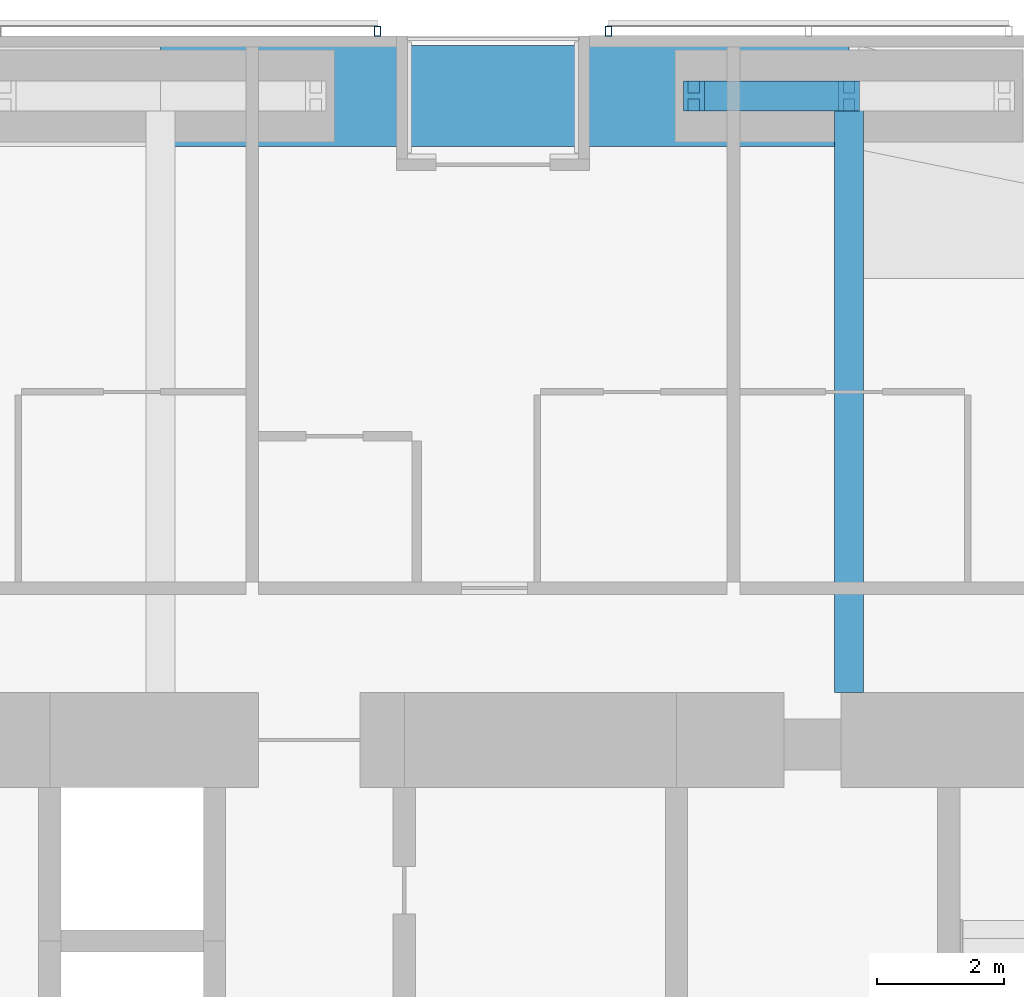
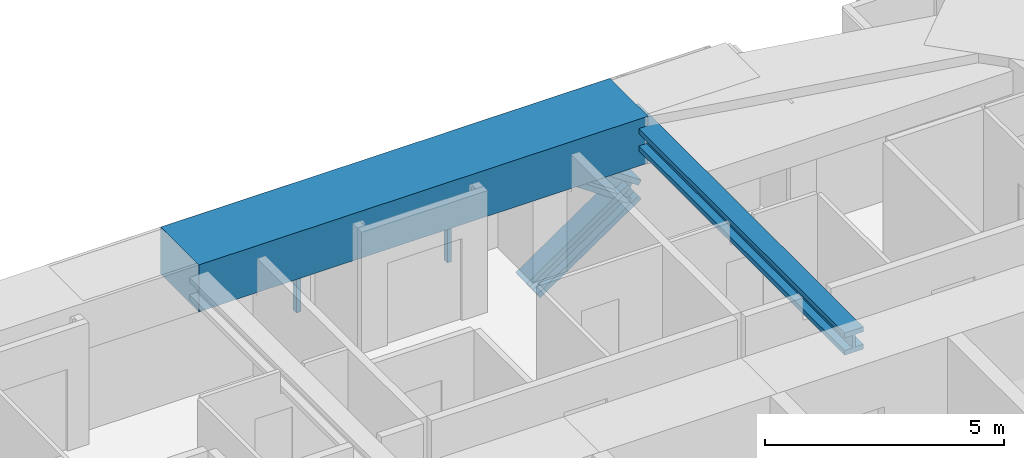
# One storey, part 14 of 25: 4 members, 2 beams, 2 elements without a shape of their own.
"""IFC4 building model written with IfcOpenShell, lengths in metres."""

from ifc_helpers import new_model, si_unit, direction, frame, origin, origin_2d, place, context, subcontext, project, spatial, rectangle, hollow_rectangle, i_section, extrude, material, material_profile, profile_set, type_object, element, aggregate, save


model = new_model("IFC4")

# Units and contexts
model_context = context("Model", 3, precision=1e-05, world=origin(), true_north=direction((0.0, 1.0)))
body_context = subcontext(model_context, "Body", "Model", "MODEL_VIEW")
ifc_project = project(units=[si_unit("LENGTHUNIT", "METRE"), si_unit("AREAUNIT", "SQUARE_METRE"), si_unit("VOLUMEUNIT", "CUBIC_METRE"), si_unit("PLANEANGLEUNIT", "RADIAN"), si_unit("MASSUNIT", "GRAM", prefix="KILO")], contexts=[model_context])

# Site, building, storey
site_placement = place(None, origin())
site = spatial("IfcSite", under=ifc_project, at=site_placement, CompositionType="ELEMENT")
building_placement = place(site_placement, origin())
building = spatial("IfcBuilding", under=site, at=building_placement, Name="Jalousie Tower", CompositionType="ELEMENT")
storey_placement = place(building_placement, frame((0.0, 0.0, 98.14990234375)))
storey = spatial("IfcBuildingStorey", under=building, at=storey_placement, Name="L26", CompositionType="ELEMENT", Elevation=98.14990234375)

# Beam
ifc_material_1 = material(Name="Steel ASTM A992 Grade 50", Category="steel")
ifc_material_profile_1 = material_profile(ifc_material_1, i_section(OverallWidth=0.45458984375, OverallDepth=0.569091796875, WebThickness=0.077880859375, FlangeThickness=0.124755859375, at=origin_2d()), Name="W14X730")
ifc_profile_set_1 = profile_set([ifc_material_profile_1], Name="Steel ASTM A992 Grade 50")
beam_type_1 = type_object("IfcBeamType", Name="LEAN COLLECTOR W14X730", PredefinedType="BEAM", material=ifc_profile_set_1)
beam_1_placement = place(storey_placement, frame((38.625, 37.050048828125, 2.82568359375), z_axis=(0.0, -1.0, 0.0), x_axis=(1.0, 0.0, 0.0)))
element("IfcBeam", 1, at=beam_1_placement, inside=storey, type_object=beam_type_1, Name="Lean collector under L27", PredefinedType="BEAM", context=body_context, shape_type="SweptSolid", body=[
    extrude(i_section(OverallWidth=0.45458984375, OverallDepth=0.569091796875, WebThickness=0.077880859375, FlangeThickness=0.124755859375, at=origin_2d()), origin(), (0.0, 0.0, 1.0), 9.425048828125),
])

# Members
ifc_material_2 = material(Name="Steel ASTM A992 Grade 50", Category="steel")
ifc_material_profile_2 = material_profile(ifc_material_2, i_section(OverallWidth=0.472412109375, OverallDepth=0.5791015625, WebThickness=0.094970703125, FlangeThickness=0.1298828125, at=origin_2d()), Name="W14X808")
ifc_profile_set_2 = profile_set([ifc_material_profile_2], Name="Steel ASTM A992 Grade 50")
member_type_1 = type_object("IfcMemberType", Name="PERIMETER BRACE W14X808", PredefinedType="BRACE", material=ifc_profile_set_2)
for number, where, z_axis, x_axis, name in (
    (2, (36.175048828125, 37.050048828125, -0.599853515625), (0.825500916831, 0.0, 0.564400776321), (0.0, 1.0, 0.0), "Perimeter brace 09 L26 part 1"),
    (3, (38.625, 37.050048828125, 1.0751953125), (-0.825539243753, 0.0, 0.564344714713), (0.0, -1.0, 0.0), "Perimeter brace 09 L26 part 4"),
):
    element("IfcMember", number, at=place(storey_placement, frame(where, z_axis=z_axis, x_axis=x_axis)), inside=storey, type_object=member_type_1, Name=name, PredefinedType="BRACE", context=body_context, shape_type="SweptSolid", body=[
        extrude(i_section(OverallWidth=0.472412109375, OverallDepth=0.5791015625, WebThickness=0.094970703125, FlangeThickness=0.1298828125, at=origin_2d()), origin(), (0.0, 0.0, 1.0), 2.9677734375),
    ])

# Beam
ifc_material_3 = material(Name="Concrete f'c 40 MPa", Category="concrete")
ifc_material_profile_3 = material_profile(ifc_material_3, rectangle(XDim=1.60009765625, YDim=1.199951171875, at=origin_2d()), Name="RC 1600x1200")
ifc_profile_set_3 = profile_set([ifc_material_profile_3], Name="Concrete f'c 40 MPa")
beam_type_2 = type_object("IfcBeamType", Name="RC BEAM 1600x1200", PredefinedType="BEAM", material=ifc_profile_set_3)
beam_2_placement = place(storey_placement, frame((38.625, 37.050048828125, 2.75), z_axis=(-1.0, 0.0, 0.0), x_axis=(0.0, -1.0, 0.0)))
element("IfcBeam", 4, at=beam_2_placement, inside=storey, type_object=beam_type_2, Name="Edge band beam 09-10 under L27", PredefinedType="BEAM", context=body_context, shape_type="SweptSolid", body=[
    extrude(rectangle(XDim=1.60009765625, YDim=1.199951171875, at=origin_2d()), origin(), (0.0, 0.0, 1.0), 10.875),
])

# Curtain wall, member
ifc_material_4 = material(Name="Perforated aluminium sheet", Category="aluminium")
curtain_wall_type = type_object("IfcCurtainWallType", Name="SOLAR SCREEN SS-1", PredefinedType="USERDEFINED", material=ifc_material_4)
curtain_wall_1_placement = place(storey_placement, origin())
curtain_wall_1 = element("IfcCurtainWall", 5, at=curtain_wall_1_placement, inside=storey, type_object=curtain_wall_type, Name="Solar screen L26", ObjectType="SOLAR SCREEN SS-1", PredefinedType="USERDEFINED")
ifc_material_5 = material(Name="Steel ASTM A500 Grade C", Category="steel")
ifc_material_profile_4 = material_profile(ifc_material_5, hollow_rectangle(XDim=0.1015625, YDim=0.15234375, WallThickness=0.00634765625, at=origin_2d()), Name="HSS6X4X1/4")
ifc_profile_set_4 = profile_set([ifc_material_profile_4], Name="Steel ASTM A500 Grade C")
member_type_2 = type_object("IfcMemberType", Name="SOLAR SCREEN SS-1 MULLION", PredefinedType="MULLION", material=ifc_profile_set_4)
member_1_placement = place(storey_placement, frame((34.824951171875, 38.0712890625, -0.119873046875), z_axis=(0.0, 0.0, 1.0), x_axis=(-1.0, 0.0, 0.0)))
member_1 = element("IfcMember", 6, at=member_1_placement, type_object=member_type_2, Name="SS1 post 3", PredefinedType="MULLION", context=body_context, shape_type="SweptSolid", body=[
    extrude(hollow_rectangle(XDim=0.1015625, YDim=0.15234375, WallThickness=0.00634765625, at=origin_2d()), origin(), (0.0, 0.0, 1.0), 3.22998046875),
])
aggregate(curtain_wall_1, [member_1])

curtain_wall_2_placement = place(storey_placement, origin())
curtain_wall_2 = element("IfcCurtainWall", 7, at=curtain_wall_2_placement, inside=storey, type_object=curtain_wall_type, Name="Solar screen L26", ObjectType="SOLAR SCREEN SS-1", PredefinedType="USERDEFINED")
member_2_placement = place(storey_placement, frame((31.175048828125, 38.0712890625, -0.119873046875), z_axis=(0.0, 0.0, 1.0), x_axis=(-1.0, 0.0, 0.0)))
member_2 = element("IfcMember", 8, at=member_2_placement, type_object=member_type_2, Name="SS1 post 1", PredefinedType="MULLION", context=body_context, shape_type="SweptSolid", body=[
    extrude(hollow_rectangle(XDim=0.1015625, YDim=0.15234375, WallThickness=0.00634765625, at=origin_2d()), origin(), (0.0, 0.0, 1.0), 3.22998046875),
])
aggregate(curtain_wall_2, [member_2])

save(model, "model.ifc")
